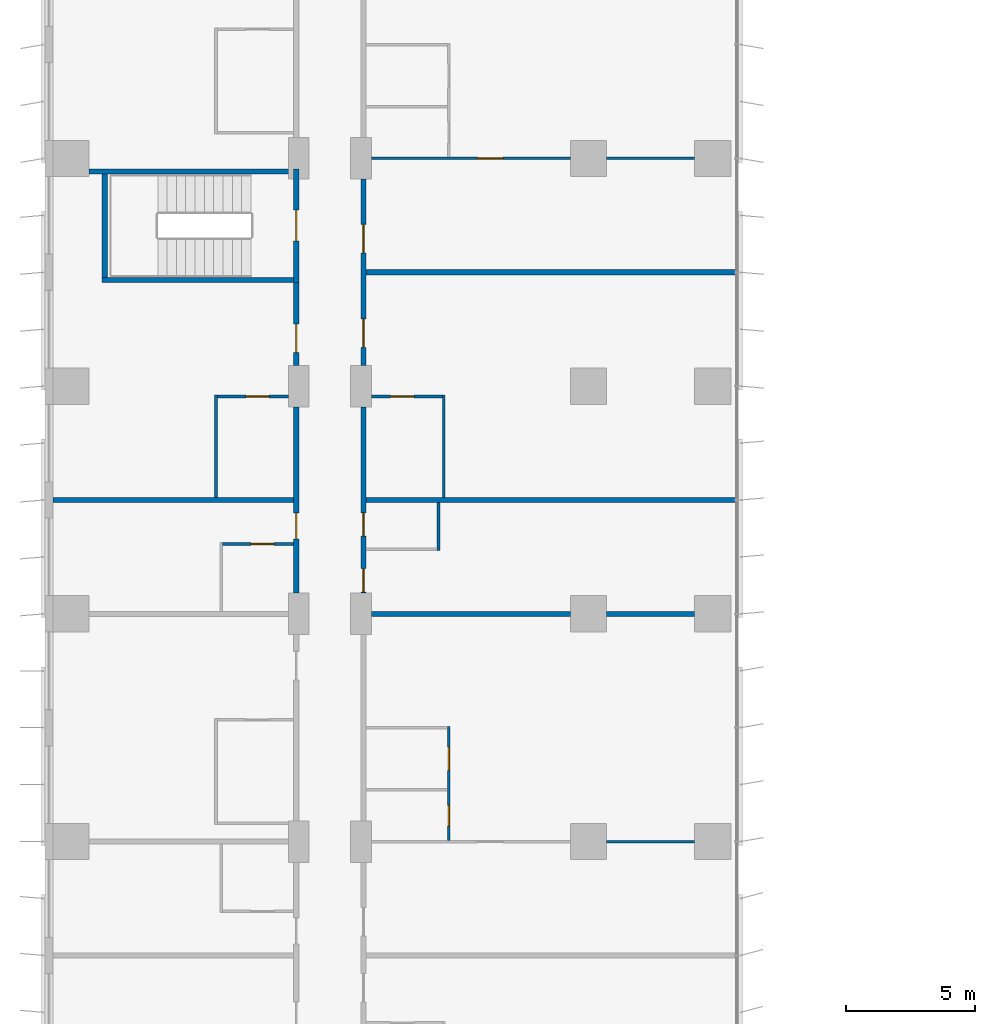
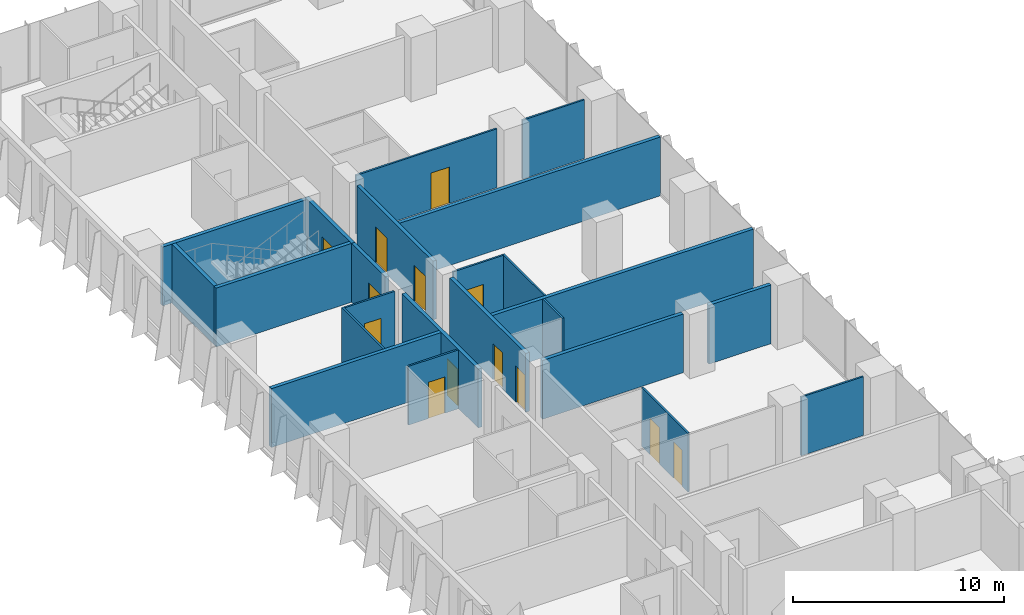
# One storey, part 17 of 24: 23 walls, 13 doors, 13 openings.
"""IFC4 building model written with IfcOpenShell, lengths in metres."""

from ifc_helpers import new_model, si_unit, direction, frame, frame_2d, origin, place, context, subcontext, project, spatial, rectangle, extrude, material, layer, layer_set, type_object, element, fill, save


model = new_model("IFC4")

# Units and contexts
model_context = context("Model", 3, precision=1e-05, world=origin(), true_north=direction((0.0, 1.0)))
body_context = subcontext(model_context, "Body", "Model", "MODEL_VIEW")
ifc_project = project(units=[si_unit("LENGTHUNIT", "METRE"), si_unit("AREAUNIT", "SQUARE_METRE"), si_unit("VOLUMEUNIT", "CUBIC_METRE"), si_unit("PLANEANGLEUNIT", "RADIAN"), si_unit("MASSUNIT", "GRAM", prefix="KILO")], contexts=[model_context])

# Site, building, storey
site_placement = place(None, origin())
site = spatial("IfcSite", under=ifc_project, at=site_placement, CompositionType="ELEMENT")
building_placement = place(site_placement, origin())
building = spatial("IfcBuilding", under=site, at=building_placement, Name="Kemantara Hotel Tower", CompositionType="ELEMENT")
storey_placement = place(building_placement, frame((0.0, 0.0, 41.39990234375)))
storey = spatial("IfcBuildingStorey", under=building, at=storey_placement, Name="L08", CompositionType="ELEMENT", Elevation=41.39990234375)

# Wall, opening, door
ifc_material_1 = material(Name="Gypsum board partition, steel studs and mineral wool, 200 mm", Category="steel")
ifc_layer_1 = layer(ifc_material_1, 0.199951171875)
ifc_layer_set_1 = layer_set([ifc_layer_1], Name="Gypsum board partition, steel studs and mineral wool, 200 mm")
wall_type_1 = type_object("IfcWallType", Name="CORRIDOR WALL 200", PredefinedType="PARTITIONING", material=ifc_layer_set_1)
wall_1_placement = place(storey_placement, frame((9.699951171875, 45.800048828125, 0.0), z_axis=(0.0, 0.0, 1.0), x_axis=(0.0, 1.0, 0.0)))
wall_1 = element("IfcWall", 1, at=wall_1_placement, inside=storey, type_object=wall_type_1, Name="CORRIDOR WALL 200 029", PredefinedType="PARTITIONING", context=body_context, shape_type="SweptSolid", body=[
    extrude(rectangle(XDim=7.199951171875, YDim=0.199951171875, at=frame_2d((3.60009765625, 0.0))), origin(), (0.0, 0.0, 1.0), 3.400146484375),
])
opening_1_placement = place(wall_1_placement, frame((2.099853515625, 0.0, 0.0)))
opening_1 = element("IfcOpeningElement", 2, at=opening_1_placement, cuts=wall_1, Name="Opening F02-037", PredefinedType="OPENING", context=body_context, shape_type="SweptSolid", body=[
    extrude(rectangle(XDim=1.0, YDim=2.10009765625, at=frame_2d((0.5, 1.050048828125))), frame((0.0, 0.10986328125, 0.0), z_axis=(0.0, -1.0, 0.0), x_axis=(1.0, 0.0, 0.0)), (0.0, 0.0, 1.0), 0.219970703125),
])
ifc_material_2 = material(Name="Hardwood veneer door leaf with steel frame", Category="steel")
door_type_1 = type_object("IfcDoorType", Name="GUEST ROOM DOOR 1000 X 2100 FD30S", OperationType="NOTDEFINED", PredefinedType="DOOR", material=ifc_material_2)
door_1_placement = place(opening_1_placement, origin())
door_1 = element("IfcDoor", 3, at=door_1_placement, inside=storey, type_object=door_type_1, Name="GUEST ROOM DOOR F02-037", OperationType="SINGLE_SWING_RIGHT", OverallHeight=2.10009765625, OverallWidth=1.0, PredefinedType="DOOR", context=body_context, shape_type="SweptSolid", body=[
    extrude(rectangle(XDim=1.0, YDim=2.10009765625, at=frame_2d((0.5, 1.050048828125))), frame((0.0, 0.02490234375, 0.0), z_axis=(0.0, -1.0, 0.0), x_axis=(1.0, 0.0, 0.0)), (0.0, 0.0, 1.0), 0.050048828125),
])
fill(opening_1, door_1)

wall_2_placement = place(storey_placement, frame((9.699951171875, 54.60009765625, 0.0), z_axis=(0.0, 0.0, 1.0), x_axis=(0.0, 1.0, 0.0)))
wall_2 = element("IfcWall", 4, at=wall_2_placement, inside=storey, type_object=wall_type_1, Name="CORRIDOR WALL 200 030", PredefinedType="PARTITIONING", context=body_context, shape_type="SweptSolid", body=[
    extrude(rectangle(XDim=3.199951171875, YDim=0.199951171875, at=frame_2d((1.60009765625, 0.0))), origin(), (0.0, 0.0, 1.0), 3.400146484375),
])
opening_2_placement = place(wall_2_placement, frame((0.5, 0.0, 0.0)))
opening_2 = element("IfcOpeningElement", 5, at=opening_2_placement, cuts=wall_2, Name="Opening F02-039", PredefinedType="OPENING", context=body_context, shape_type="SweptSolid", body=[
    extrude(rectangle(XDim=1.10009765625, YDim=2.10009765625, at=frame_2d((0.550048828125, 1.050048828125))), frame((0.0, 0.10986328125, 0.0), z_axis=(0.0, -1.0, 0.0), x_axis=(1.0, 0.0, 0.0)), (0.0, 0.0, 1.0), 0.219970703125),
])
door_type_2 = type_object("IfcDoorType", Name="SUITE ENTRANCE DOOR 1100 X 2100 FD30S", OperationType="NOTDEFINED", PredefinedType="DOOR", material=ifc_material_2)
door_2_placement = place(opening_2_placement, origin())
door_2 = element("IfcDoor", 6, at=door_2_placement, inside=storey, type_object=door_type_2, Name="SUITE ENTRANCE DOOR F02-039", OperationType="SINGLE_SWING_RIGHT", OverallHeight=2.10009765625, OverallWidth=1.10009765625, PredefinedType="DOOR", context=body_context, shape_type="SweptSolid", body=[
    extrude(rectangle(XDim=1.10009765625, YDim=2.10009765625, at=frame_2d((0.550048828125, 1.050048828125))), frame((0.0, 0.02490234375, 0.0), z_axis=(0.0, -1.0, 0.0), x_axis=(1.0, 0.0, 0.0)), (0.0, 0.0, 1.0), 0.050048828125),
])
fill(opening_2, door_2)

# Wall, openings, doors
wall_3_placement = place(storey_placement, frame((12.300048828125, 53.0, 0.0), z_axis=(0.0, 0.0, 1.0), x_axis=(0.0, -1.0, 0.0)))
wall_3 = element("IfcWall", 7, at=wall_3_placement, inside=storey, type_object=wall_type_1, Name="CORRIDOR WALL 200 046", PredefinedType="PARTITIONING", context=body_context, shape_type="SweptSolid", body=[
    extrude(rectangle(XDim=7.199951171875, YDim=0.199951171875, at=frame_2d((3.60009765625, 0.0))), origin(), (0.0, 0.0, 1.0), 3.400146484375),
])
opening_3_placement = place(wall_3_placement, frame((6.25, 0.0, 0.0)))
opening_3 = element("IfcOpeningElement", 8, at=opening_3_placement, cuts=wall_3, Name="Opening F02-051", PredefinedType="OPENING", context=body_context, shape_type="SweptSolid", body=[
    extrude(rectangle(XDim=0.89990234375, YDim=2.10009765625, at=frame_2d((0.449951171875, 1.050048828125))), frame((0.0, 0.10986328125, 0.0), z_axis=(0.0, -1.0, 0.0), x_axis=(1.0, 0.0, 0.0)), (0.0, 0.0, 1.0), 0.219970703125),
])
opening_4_placement = place(wall_3_placement, frame((4.099853515625, 0.0, 0.0)))
opening_4 = element("IfcOpeningElement", 9, at=opening_4_placement, cuts=wall_3, Name="Opening F02-052", PredefinedType="OPENING", context=body_context, shape_type="SweptSolid", body=[
    extrude(rectangle(XDim=0.89990234375, YDim=2.10009765625, at=frame_2d((0.449951171875, 1.050048828125))), frame((0.0, 0.10986328125, 0.0), z_axis=(0.0, -1.0, 0.0), x_axis=(1.0, 0.0, 0.0)), (0.0, 0.0, 1.0), 0.219970703125),
])
ifc_material_3 = material(Name="Steel door leaf with steel frame", Category="steel")
door_type_3 = type_object("IfcDoorType", Name="SERVICE ROOM DOOR 900 X 2100 FD60", OperationType="NOTDEFINED", PredefinedType="DOOR", material=ifc_material_3)
door_3_placement = place(opening_3_placement, origin())
door_3 = element("IfcDoor", 10, at=door_3_placement, inside=storey, type_object=door_type_3, Name="SERVICE ROOM DOOR F02-051", OperationType="SINGLE_SWING_RIGHT", OverallHeight=2.10009765625, OverallWidth=0.89990234375, PredefinedType="DOOR", context=body_context, shape_type="SweptSolid", body=[
    extrude(rectangle(XDim=0.89990234375, YDim=2.10009765625, at=frame_2d((0.449951171875, 1.050048828125))), frame((0.0, 0.02490234375, 0.0), z_axis=(0.0, -1.0, 0.0), x_axis=(1.0, 0.0, 0.0)), (0.0, 0.0, 1.0), 0.050048828125),
])
fill(opening_3, door_3)
door_4_placement = place(opening_4_placement, origin())
door_4 = element("IfcDoor", 11, at=door_4_placement, inside=storey, type_object=door_type_3, Name="SERVICE ROOM DOOR F02-052", OperationType="SINGLE_SWING_LEFT", OverallHeight=2.10009765625, OverallWidth=0.89990234375, PredefinedType="DOOR", context=body_context, shape_type="SweptSolid", body=[
    extrude(rectangle(XDim=0.89990234375, YDim=2.10009765625, at=frame_2d((0.449951171875, 1.050048828125))), frame((0.0, 0.02490234375, 0.0), z_axis=(0.0, -1.0, 0.0), x_axis=(1.0, 0.0, 0.0)), (0.0, 0.0, 1.0), 0.050048828125),
])
fill(opening_4, door_4)

wall_4_placement = place(storey_placement, frame((12.300048828125, 61.7998046875, 0.0), z_axis=(0.0, 0.0, 1.0), x_axis=(0.0, -1.0, 0.0)))
wall_4 = element("IfcWall", 12, at=wall_4_placement, inside=storey, type_object=wall_type_1, Name="CORRIDOR WALL 200 047", PredefinedType="PARTITIONING", context=body_context, shape_type="SweptSolid", body=[
    extrude(rectangle(XDim=7.19970703125, YDim=0.199951171875, at=frame_2d((3.599853515625, 0.0))), origin(), (0.0, 0.0, 1.0), 3.400146484375),
])
opening_5_placement = place(wall_4_placement, frame((5.39990234375, 0.0, 0.0)))
opening_5 = element("IfcOpeningElement", 13, at=opening_5_placement, cuts=wall_4, Name="Opening F02-053", PredefinedType="OPENING", context=body_context, shape_type="SweptSolid", body=[
    extrude(rectangle(XDim=1.10009765625, YDim=2.10009765625, at=frame_2d((0.550048828125, 1.050048828125))), frame((0.0, 0.10986328125, 0.0), z_axis=(0.0, -1.0, 0.0), x_axis=(1.0, 0.0, 0.0)), (0.0, 0.0, 1.0), 0.219970703125),
])
opening_6_placement = place(wall_4_placement, frame((1.75, 0.0, 0.0)))
opening_6 = element("IfcOpeningElement", 14, at=opening_6_placement, cuts=wall_4, Name="Opening F02-055", PredefinedType="OPENING", context=body_context, shape_type="SweptSolid", body=[
    extrude(rectangle(XDim=1.10009765625, YDim=2.10009765625, at=frame_2d((0.550048828125, 1.050048828125))), frame((0.0, 0.10986328125, 0.0), z_axis=(0.0, -1.0, 0.0), x_axis=(1.0, 0.0, 0.0)), (0.0, 0.0, 1.0), 0.219970703125),
])
door_5_placement = place(opening_5_placement, origin())
door_5 = element("IfcDoor", 15, at=door_5_placement, inside=storey, type_object=door_type_2, Name="SUITE ENTRANCE DOOR F02-053", OperationType="SINGLE_SWING_LEFT", OverallHeight=2.10009765625, OverallWidth=1.10009765625, PredefinedType="DOOR", context=body_context, shape_type="SweptSolid", body=[
    extrude(rectangle(XDim=1.10009765625, YDim=2.10009765625, at=frame_2d((0.550048828125, 1.050048828125))), frame((0.0, 0.02490234375, 0.0), z_axis=(0.0, -1.0, 0.0), x_axis=(1.0, 0.0, 0.0)), (0.0, 0.0, 1.0), 0.050048828125),
])
fill(opening_5, door_5)
door_6_placement = place(opening_6_placement, origin())
door_6 = element("IfcDoor", 16, at=door_6_placement, inside=storey, type_object=door_type_2, Name="SUITE ENTRANCE DOOR F02-055", OperationType="SINGLE_SWING_RIGHT", OverallHeight=2.10009765625, OverallWidth=1.10009765625, PredefinedType="DOOR", context=body_context, shape_type="SweptSolid", body=[
    extrude(rectangle(XDim=1.10009765625, YDim=2.10009765625, at=frame_2d((0.550048828125, 1.050048828125))), frame((0.0, 0.02490234375, 0.0), z_axis=(0.0, -1.0, 0.0), x_axis=(1.0, 0.0, 0.0)), (0.0, 0.0, 1.0), 0.050048828125),
])
fill(opening_6, door_6)

# Wall, opening, door
ifc_material_4 = material(Name="Concrete fc 40 MPa", Category="concrete")
ifc_layer_2 = layer(ifc_material_4, 0.199951171875)
ifc_layer_set_2 = layer_set([ifc_layer_2], Name="Concrete fc 40 MPa")
wall_type_2 = type_object("IfcWallType", Name="Concrete stair wall 200 mm", PredefinedType="SHEAR", material=ifc_layer_set_2)
wall_5_placement = place(storey_placement, frame((9.699951171875, 57.800048828125, 0.0), z_axis=(0.0, 0.0, 1.0), x_axis=(0.0, 1.0, 0.0)))
wall_5 = element("IfcWall", 17, at=wall_5_placement, inside=storey, type_object=wall_type_2, Name="Stair ST4 enclosure wall with door", PredefinedType="SHEAR", context=body_context, shape_type="SweptSolid", body=[
    extrude(rectangle(XDim=4.39990234375, YDim=0.199951171875, at=frame_2d((2.199951171875, 0.0))), origin(), (0.0, 0.0, 1.0), 3.400146484375),
])
opening_7_placement = place(wall_5_placement, frame((1.60009765625, 0.0, 0.0)))
opening_7 = element("IfcOpeningElement", 18, at=opening_7_placement, cuts=wall_5, Name="Opening ST4-C", PredefinedType="OPENING", context=body_context, shape_type="SweptSolid", body=[
    extrude(rectangle(XDim=1.199951171875, YDim=2.10009765625, at=frame_2d((0.60009765625, 1.050048828125))), frame((0.0, 0.10986328125, 0.0), z_axis=(0.0, -1.0, 0.0), x_axis=(1.0, 0.0, 0.0)), (0.0, 0.0, 1.0), 0.219970703125),
])
ifc_material_5 = material(Name="Steel fire door", Category="steel")
door_type_4 = type_object("IfcDoorType", Name="Fire door FD90 1200 x 2100", OperationType="NOTDEFINED", PredefinedType="DOOR", material=ifc_material_5)
door_7_placement = place(opening_7_placement, origin())
door_7 = element("IfcDoor", 19, at=door_7_placement, inside=storey, type_object=door_type_4, Name="Stair ST4 door", OperationType="SINGLE_SWING_RIGHT", OverallHeight=2.10009765625, OverallWidth=1.199951171875, PredefinedType="DOOR", context=body_context, shape_type="SweptSolid", body=[
    extrude(rectangle(XDim=1.199951171875, YDim=2.10009765625, at=frame_2d((0.60009765625, 1.050048828125))), frame((0.0, 0.02490234375, 0.0), z_axis=(0.0, -1.0, 0.0), x_axis=(1.0, 0.0, 0.0)), (0.0, 0.0, 1.0), 0.050048828125),
])
fill(opening_7, door_7)

# Walls
wall_6_placement = place(storey_placement, frame((1.699951171875, 62.10009765625, 0.0), z_axis=(0.0, 0.0, 1.0), x_axis=(1.0, 0.0, 0.0)))
element("IfcWall", 20, at=wall_6_placement, inside=storey, type_object=wall_type_2, Name="Stair ST4 enclosure wall N", PredefinedType="SHEAR", context=body_context, shape_type="SweptSolid", body=[
    extrude(rectangle(XDim=7.900146484375, YDim=0.199951171875, at=frame_2d((3.9501953125, 0.0))), origin(), (0.0, 0.0, 1.0), 3.400146484375),
])
wall_7_placement = place(storey_placement, frame((2.199951171875, 57.89990234375, 0.0), z_axis=(0.0, 0.0, 1.0), x_axis=(1.0, 0.0, 0.0)))
element("IfcWall", 21, at=wall_7_placement, inside=storey, type_object=wall_type_2, Name="Stair ST4 enclosure wall S", PredefinedType="SHEAR", context=body_context, shape_type="SweptSolid", body=[
    extrude(rectangle(XDim=7.400146484375, YDim=0.199951171875, at=frame_2d((3.7001953125, 0.0))), origin(), (0.0, 0.0, 1.0), 3.400146484375),
])
wall_8_placement = place(storey_placement, frame((2.300048828125, 58.0, 0.0), z_axis=(0.0, 0.0, 1.0), x_axis=(0.0, 1.0, 0.0)))
element("IfcWall", 22, at=wall_8_placement, inside=storey, type_object=wall_type_2, Name="Stair ST4 enclosure wall W", PredefinedType="SHEAR", context=body_context, shape_type="SweptSolid", body=[
    extrude(rectangle(XDim=4.0, YDim=0.199951171875, at=frame_2d((2.0, 0.0))), origin(), (0.0, 0.0, 1.0), 3.400146484375),
])
ifc_layer_3 = layer(ifc_material_1, 0.199951171875)
ifc_layer_set_3 = layer_set([ifc_layer_3], Name="Gypsum board partition, steel studs and mineral wool, 200 mm")
wall_type_3 = type_object("IfcWallType", Name="GUEST ROOM PARTY WALL 200", PredefinedType="PARTITIONING", material=ifc_layer_set_3)
wall_9_placement = place(storey_placement, frame((12.60009765625, 45.0, 0.0), z_axis=(0.0, 0.0, 1.0), x_axis=(1.0, 0.0, 0.0)))
element("IfcWall", 23, at=wall_9_placement, inside=storey, type_object=wall_type_3, Name="GUEST ROOM PARTY WALL 200 039", PredefinedType="PARTITIONING", context=body_context, shape_type="SweptSolid", body=[
    extrude(rectangle(XDim=7.69970703125, YDim=0.199951171875, at=frame_2d((3.849853515625, 0.0))), origin(), (0.0, 0.0, 1.0), 3.400146484375),
])
wall_10_placement = place(storey_placement, frame((21.7001953125, 45.0, 0.0), z_axis=(0.0, 0.0, 1.0), x_axis=(1.0, 0.0, 0.0)))
element("IfcWall", 24, at=wall_10_placement, inside=storey, type_object=wall_type_3, Name="GUEST ROOM PARTY WALL 200 040", PredefinedType="PARTITIONING", context=body_context, shape_type="SweptSolid", body=[
    extrude(rectangle(XDim=3.399658203125, YDim=0.199951171875, at=frame_2d((1.69970703125, 0.0))), origin(), (0.0, 0.0, 1.0), 3.400146484375),
])
wall_11_placement = place(storey_placement, frame((0.31005859375, 49.39990234375, 0.0), z_axis=(0.0, 0.0, 1.0), x_axis=(1.0, 0.0, 0.0)))
element("IfcWall", 25, at=wall_11_placement, inside=storey, type_object=wall_type_3, Name="GUEST ROOM PARTY WALL 200 041", PredefinedType="PARTITIONING", context=body_context, shape_type="SweptSolid", body=[
    extrude(rectangle(XDim=9.2900390625, YDim=0.199951171875, at=frame_2d((4.64501953125, 0.0))), origin(), (0.0, 0.0, 1.0), 3.400146484375),
])
for number, where, z_axis, x_axis, name in (
    (26, (12.39990234375, 49.39990234375, 0.0), (0.0, 0.0, 1.0), (1.0, 0.0, 0.0), "GUEST ROOM PARTY WALL 200 042"),
    (27, (12.39990234375, 58.199951171875, 0.0), (0.0, 0.0, 1.0), (1.0, 0.0, 0.0), "GUEST ROOM PARTY WALL 200 053"),
):
    element("IfcWall", number, at=place(storey_placement, frame(where, z_axis=z_axis, x_axis=x_axis)), inside=storey, type_object=wall_type_3, Name=name, PredefinedType="PARTITIONING", context=body_context, shape_type="SweptSolid", body=[
        extrude(rectangle(XDim=14.27001953125, YDim=0.199951171875, at=frame_2d((7.135009765625, 0.0))), origin(), (0.0, 0.0, 1.0), 3.400146484375),
    ])
ifc_material_6 = material(Name="Gypsum board partition on steel studs, 100 mm", Category="steel")
ifc_layer_4 = layer(ifc_material_6, 0.10009765625)
ifc_layer_set_4 = layer_set([ifc_layer_4], Name="Gypsum board partition on steel studs, 100 mm")
wall_type_4 = type_object("IfcWallType", Name="ROOM PARTITION 100", PredefinedType="PARTITIONING", material=ifc_layer_set_4)
wall_12_placement = place(storey_placement, frame((6.60009765625, 49.5, 0.0), z_axis=(0.0, 0.0, 1.0), x_axis=(0.0, 1.0, 0.0)))
element("IfcWall", 28, at=wall_12_placement, inside=storey, type_object=wall_type_4, Name="ROOM PARTITION 100 094", PredefinedType="PARTITIONING", context=body_context, shape_type="SweptSolid", body=[
    extrude(rectangle(XDim=3.949951171875, YDim=0.10009765625, at=frame_2d((1.97509765625, 0.0))), origin(), (0.0, 0.0, 1.0), 3.400146484375),
])

# Wall, opening, door
wall_13_placement = place(storey_placement, frame((9.60009765625, 47.699951171875, 0.0), z_axis=(0.0, 0.0, 1.0), x_axis=(-1.0, 0.0, 0.0)))
wall_13 = element("IfcWall", 29, at=wall_13_placement, inside=storey, type_object=wall_type_4, Name="ROOM PARTITION 100 103", PredefinedType="PARTITIONING", context=body_context, shape_type="SweptSolid", body=[
    extrude(rectangle(XDim=2.75, YDim=0.10009765625, at=frame_2d((1.375, 0.0))), origin(), (0.0, 0.0, 1.0), 3.400146484375),
])
opening_8_placement = place(wall_13_placement, frame((0.75, 0.0, 0.0)))
opening_8 = element("IfcOpeningElement", 30, at=opening_8_placement, cuts=wall_13, Name="Opening F02-038", PredefinedType="OPENING", context=body_context, shape_type="SweptSolid", body=[
    extrude(rectangle(XDim=0.89990234375, YDim=2.10009765625, at=frame_2d((0.449951171875, 1.050048828125))), frame((0.0, 0.06005859375, 0.0), z_axis=(0.0, -1.0, 0.0), x_axis=(1.0, 0.0, 0.0)), (0.0, 0.0, 1.0), 0.1201171875),
])
door_type_5 = type_object("IfcDoorType", Name="BATHROOM DOOR 900 X 2100", OperationType="NOTDEFINED", PredefinedType="DOOR", material=ifc_material_2)
door_8_placement = place(opening_8_placement, origin())
door_8 = element("IfcDoor", 31, at=door_8_placement, inside=storey, type_object=door_type_5, Name="BATHROOM DOOR F02-038", OperationType="SINGLE_SWING_LEFT", OverallHeight=2.10009765625, OverallWidth=0.89990234375, PredefinedType="DOOR", context=body_context, shape_type="SweptSolid", body=[
    extrude(rectangle(XDim=0.89990234375, YDim=2.10009765625, at=frame_2d((0.449951171875, 1.050048828125))), frame((0.0, 0.02490234375, 0.0), z_axis=(0.0, -1.0, 0.0), x_axis=(1.0, 0.0, 0.0)), (0.0, 0.0, 1.0), 0.050048828125),
])
fill(opening_8, door_8)

wall_14_placement = place(storey_placement, frame((9.39990234375, 53.39990234375, 0.0), z_axis=(0.0, 0.0, 1.0), x_axis=(-1.0, 0.0, 0.0)))
wall_14 = element("IfcWall", 32, at=wall_14_placement, inside=storey, type_object=wall_type_4, Name="ROOM PARTITION 100 104", PredefinedType="PARTITIONING", context=body_context, shape_type="SweptSolid", body=[
    extrude(rectangle(XDim=2.75, YDim=0.10009765625, at=frame_2d((1.375, 0.0))), origin(), (0.0, 0.0, 1.0), 3.400146484375),
])
opening_9_placement = place(wall_14_placement, frame((0.75, 0.0, 0.0)))
opening_9 = element("IfcOpeningElement", 33, at=opening_9_placement, cuts=wall_14, Name="Opening F02-040", PredefinedType="OPENING", context=body_context, shape_type="SweptSolid", body=[
    extrude(rectangle(XDim=0.89990234375, YDim=2.10009765625, at=frame_2d((0.449951171875, 1.050048828125))), frame((0.0, 0.06005859375, 0.0), z_axis=(0.0, -1.0, 0.0), x_axis=(1.0, 0.0, 0.0)), (0.0, 0.0, 1.0), 0.1201171875),
])
door_9_placement = place(opening_9_placement, origin())
door_9 = element("IfcDoor", 34, at=door_9_placement, inside=storey, type_object=door_type_5, Name="BATHROOM DOOR F02-040", OperationType="SINGLE_SWING_LEFT", OverallHeight=2.10009765625, OverallWidth=0.89990234375, PredefinedType="DOOR", context=body_context, shape_type="SweptSolid", body=[
    extrude(rectangle(XDim=0.89990234375, YDim=2.10009765625, at=frame_2d((0.449951171875, 1.050048828125))), frame((0.0, 0.02490234375, 0.0), z_axis=(0.0, -1.0, 0.0), x_axis=(1.0, 0.0, 0.0)), (0.0, 0.0, 1.0), 0.050048828125),
])
fill(opening_9, door_9)

wall_15_placement = place(storey_placement, frame((15.35009765625, 53.39990234375, 0.0), z_axis=(0.0, 0.0, 1.0), x_axis=(-1.0, 0.0, 0.0)))
wall_15 = element("IfcWall", 35, at=wall_15_placement, inside=storey, type_object=wall_type_4, Name="ROOM PARTITION 100 105", PredefinedType="PARTITIONING", context=body_context, shape_type="SweptSolid", body=[
    extrude(rectangle(XDim=2.75, YDim=0.10009765625, at=frame_2d((1.375, 0.0))), origin(), (0.0, 0.0, 1.0), 3.400146484375),
])
opening_10_placement = place(wall_15_placement, frame((1.10009765625, 0.0, 0.0)))
opening_10 = element("IfcOpeningElement", 36, at=opening_10_placement, cuts=wall_15, Name="Opening F02-054", PredefinedType="OPENING", context=body_context, shape_type="SweptSolid", body=[
    extrude(rectangle(XDim=0.89990234375, YDim=2.10009765625, at=frame_2d((0.449951171875, 1.050048828125))), frame((0.0, 0.06005859375, 0.0), z_axis=(0.0, -1.0, 0.0), x_axis=(1.0, 0.0, 0.0)), (0.0, 0.0, 1.0), 0.1201171875),
])
door_10_placement = place(opening_10_placement, origin())
door_10 = element("IfcDoor", 37, at=door_10_placement, inside=storey, type_object=door_type_5, Name="BATHROOM DOOR F02-054", OperationType="SINGLE_SWING_RIGHT", OverallHeight=2.10009765625, OverallWidth=0.89990234375, PredefinedType="DOOR", context=body_context, shape_type="SweptSolid", body=[
    extrude(rectangle(XDim=0.89990234375, YDim=2.10009765625, at=frame_2d((0.449951171875, 1.050048828125))), frame((0.0, 0.02490234375, 0.0), z_axis=(0.0, -1.0, 0.0), x_axis=(1.0, 0.0, 0.0)), (0.0, 0.0, 1.0), 0.050048828125),
])
fill(opening_10, door_10)

# Wall
wall_16_placement = place(storey_placement, frame((15.39990234375, 49.5, 0.0), z_axis=(0.0, 0.0, 1.0), x_axis=(0.0, 1.0, 0.0)))
element("IfcWall", 38, at=wall_16_placement, inside=storey, type_object=wall_type_4, Name="ROOM PARTITION 100 110", PredefinedType="PARTITIONING", context=body_context, shape_type="SweptSolid", body=[
    extrude(rectangle(XDim=3.949951171875, YDim=0.10009765625, at=frame_2d((1.97509765625, 0.0))), origin(), (0.0, 0.0, 1.0), 3.400146484375),
])

# Wall, openings, doors
wall_17_placement = place(storey_placement, frame((15.60009765625, 36.25, 0.0), z_axis=(0.0, 0.0, 1.0), x_axis=(0.0, 1.0, 0.0)))
wall_17 = element("IfcWall", 39, at=wall_17_placement, inside=storey, type_object=wall_type_4, Name="ROOM PARTITION 100 112", PredefinedType="PARTITIONING", context=body_context, shape_type="SweptSolid", body=[
    extrude(rectangle(XDim=4.39990234375, YDim=0.10009765625, at=frame_2d((2.199951171875, 0.0))), origin(), (0.0, 0.0, 1.0), 3.400146484375),
])
opening_11_placement = place(wall_17_placement, frame((2.699951171875, 0.0, 0.0)))
opening_11 = element("IfcOpeningElement", 40, at=opening_11_placement, cuts=wall_17, Name="Opening F02-049", PredefinedType="OPENING", context=body_context, shape_type="SweptSolid", body=[
    extrude(rectangle(XDim=0.89990234375, YDim=2.10009765625, at=frame_2d((0.449951171875, 1.050048828125))), frame((0.0, 0.06005859375, 0.0), z_axis=(0.0, -1.0, 0.0), x_axis=(1.0, 0.0, 0.0)), (0.0, 0.0, 1.0), 0.1201171875),
])
opening_12_placement = place(wall_17_placement, frame((0.550048828125, 0.0, 0.0)))
opening_12 = element("IfcOpeningElement", 41, at=opening_12_placement, cuts=wall_17, Name="Opening F02-050", PredefinedType="OPENING", context=body_context, shape_type="SweptSolid", body=[
    extrude(rectangle(XDim=0.800048828125, YDim=2.10009765625, at=frame_2d((0.39990234375, 1.050048828125))), frame((0.0, 0.06005859375, 0.0), z_axis=(0.0, -1.0, 0.0), x_axis=(1.0, 0.0, 0.0)), (0.0, 0.0, 1.0), 0.1201171875),
])
door_11_placement = place(opening_11_placement, origin())
door_11 = element("IfcDoor", 42, at=door_11_placement, inside=storey, type_object=door_type_5, Name="BATHROOM DOOR F02-049", OperationType="SINGLE_SWING_LEFT", OverallHeight=2.10009765625, OverallWidth=0.89990234375, PredefinedType="DOOR", context=body_context, shape_type="SweptSolid", body=[
    extrude(rectangle(XDim=0.89990234375, YDim=2.10009765625, at=frame_2d((0.449951171875, 1.050048828125))), frame((0.0, 0.02490234375, 0.0), z_axis=(0.0, -1.0, 0.0), x_axis=(1.0, 0.0, 0.0)), (0.0, 0.0, 1.0), 0.050048828125),
])
fill(opening_11, door_11)
door_type_6 = type_object("IfcDoorType", Name="WARDROBE DOOR 800 X 2100", OperationType="NOTDEFINED", PredefinedType="DOOR", material=ifc_material_2)
door_12_placement = place(opening_12_placement, origin())
door_12 = element("IfcDoor", 43, at=door_12_placement, inside=storey, type_object=door_type_6, Name="WARDROBE DOOR F02-050", OperationType="SINGLE_SWING_LEFT", OverallHeight=2.10009765625, OverallWidth=0.800048828125, PredefinedType="DOOR", context=body_context, shape_type="SweptSolid", body=[
    extrude(rectangle(XDim=0.800048828125, YDim=2.10009765625, at=frame_2d((0.39990234375, 1.050048828125))), frame((0.0, 0.02490234375, 0.0), z_axis=(0.0, -1.0, 0.0), x_axis=(1.0, 0.0, 0.0)), (0.0, 0.0, 1.0), 0.050048828125),
])
fill(opening_12, door_12)

# Walls
wall_18_placement = place(storey_placement, frame((21.7001953125, 36.199951171875, 0.0), z_axis=(0.0, 0.0, 1.0), x_axis=(1.0, 0.0, 0.0)))
element("IfcWall", 44, at=wall_18_placement, inside=storey, type_object=wall_type_4, Name="ROOM PARTITION 100 115", PredefinedType="PARTITIONING", context=body_context, shape_type="SweptSolid", body=[
    extrude(rectangle(XDim=3.399658203125, YDim=0.10009765625, at=frame_2d((1.69970703125, 0.0))), origin(), (0.0, 0.0, 1.0), 3.400146484375),
])
wall_19_placement = place(storey_placement, frame((15.199951171875, 47.449951171875, 0.0), z_axis=(0.0, 0.0, 1.0), x_axis=(0.0, 1.0, 0.0)))
element("IfcWall", 45, at=wall_19_placement, inside=storey, type_object=wall_type_4, Name="ROOM PARTITION 100 118", PredefinedType="PARTITIONING", context=body_context, shape_type="SweptSolid", body=[
    extrude(rectangle(XDim=1.85009765625, YDim=0.10009765625, at=frame_2d((0.925048828125, 0.0))), origin(), (0.0, 0.0, 1.0), 3.400146484375),
])

# Wall, opening, door
wall_20_placement = place(storey_placement, frame((12.60009765625, 62.60009765625, 0.0), z_axis=(0.0, 0.0, 1.0), x_axis=(1.0, 0.0, 0.0)))
wall_20 = element("IfcWall", 46, at=wall_20_placement, inside=storey, type_object=wall_type_4, Name="ROOM PARTITION 100 120", PredefinedType="PARTITIONING", context=body_context, shape_type="SweptSolid", body=[
    extrude(rectangle(XDim=7.69970703125, YDim=0.10009765625, at=frame_2d((3.849853515625, 0.0))), origin(), (0.0, 0.0, 1.0), 3.400146484375),
])
opening_13_placement = place(wall_20_placement, frame((4.099853515625, 0.0, 0.0)))
opening_13 = element("IfcOpeningElement", 47, at=opening_13_placement, cuts=wall_20, Name="Opening F02-056", PredefinedType="OPENING", context=body_context, shape_type="SweptSolid", body=[
    extrude(rectangle(XDim=1.0, YDim=2.10009765625, at=frame_2d((0.5, 1.050048828125))), frame((0.0, 0.06005859375, 0.0), z_axis=(0.0, -1.0, 0.0), x_axis=(1.0, 0.0, 0.0)), (0.0, 0.0, 1.0), 0.1201171875),
])
door_type_7 = type_object("IfcDoorType", Name="INTERNAL DOOR 1000 X 2100", OperationType="NOTDEFINED", PredefinedType="DOOR", material=ifc_material_2)
door_13_placement = place(opening_13_placement, origin())
door_13 = element("IfcDoor", 48, at=door_13_placement, inside=storey, type_object=door_type_7, Name="INTERNAL DOOR F02-056", OperationType="SINGLE_SWING_LEFT", OverallHeight=2.10009765625, OverallWidth=1.0, PredefinedType="DOOR", context=body_context, shape_type="SweptSolid", body=[
    extrude(rectangle(XDim=1.0, YDim=2.10009765625, at=frame_2d((0.5, 1.050048828125))), frame((0.0, 0.02490234375, 0.0), z_axis=(0.0, -1.0, 0.0), x_axis=(1.0, 0.0, 0.0)), (0.0, 0.0, 1.0), 0.050048828125),
])
fill(opening_13, door_13)

# Wall
wall_21_placement = place(storey_placement, frame((21.7001953125, 62.60009765625, 0.0), z_axis=(0.0, 0.0, 1.0), x_axis=(1.0, 0.0, 0.0)))
element("IfcWall", 49, at=wall_21_placement, inside=storey, type_object=wall_type_4, Name="ROOM PARTITION 100 121", PredefinedType="PARTITIONING", context=body_context, shape_type="SweptSolid", body=[
    extrude(rectangle(XDim=3.399658203125, YDim=0.10009765625, at=frame_2d((1.69970703125, 0.0))), origin(), (0.0, 0.0, 1.0), 3.400146484375),
])

save(model, "model.ifc")
